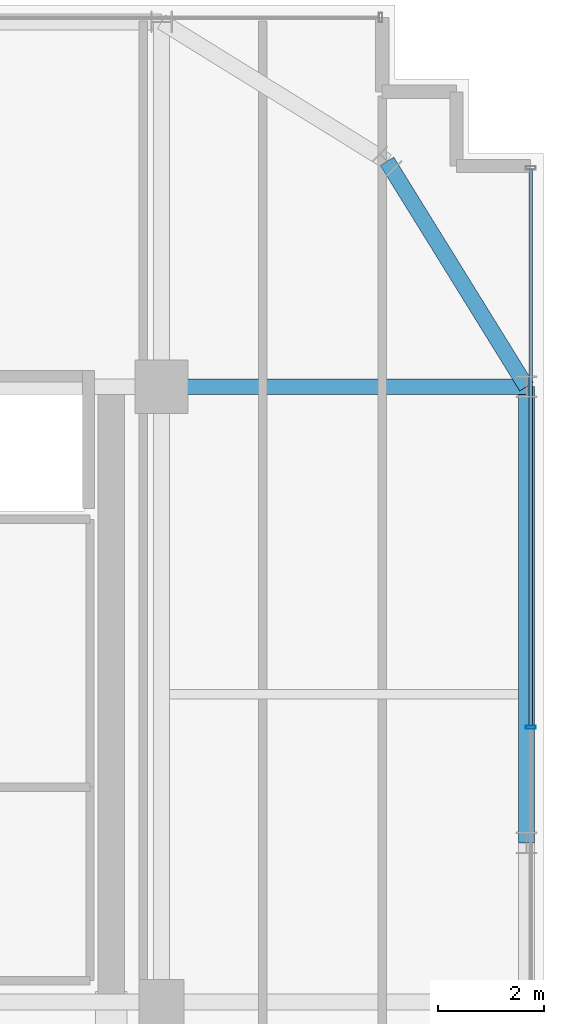
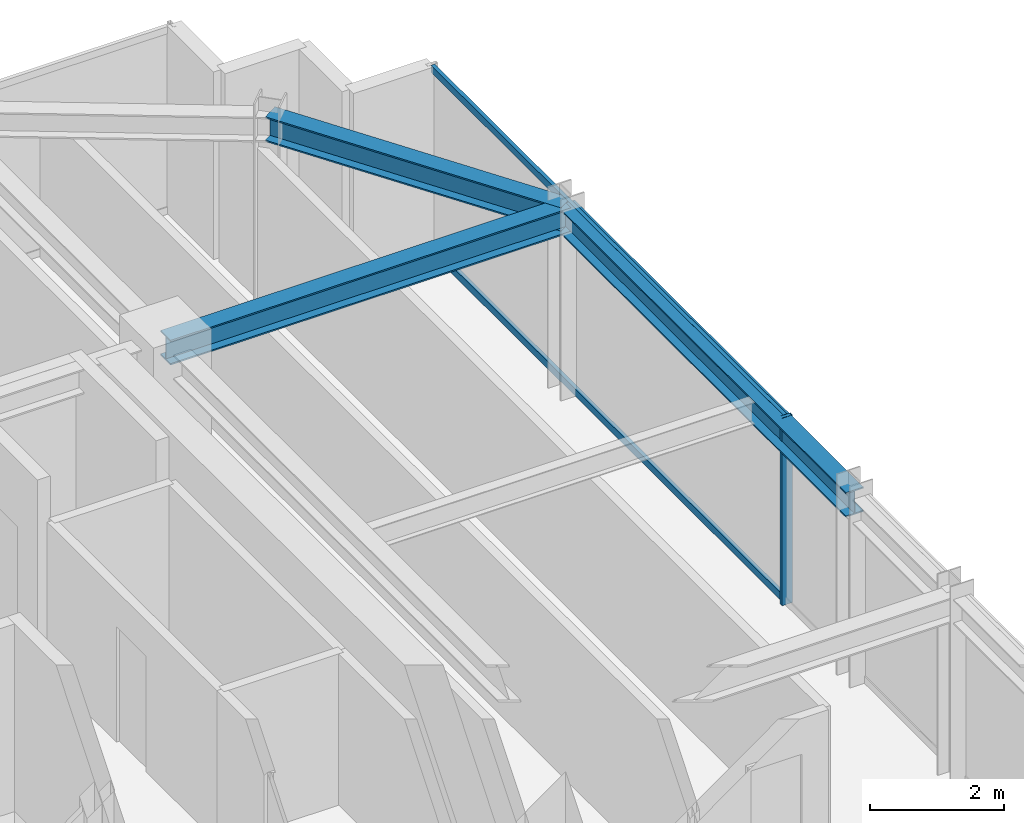
# One storey, part 24 of 35: 3 beams, 3 members, 1 element without a shape of its own.
"""IFC4 building model written with IfcOpenShell, lengths in metres."""

from ifc_helpers import new_model, si_unit, direction, frame, origin, origin_2d, place, context, subcontext, project, spatial, hollow_rectangle, i_section, extrude, source, transform, mapped, material, material_profile, profile_set, type_object, element, aggregate, save


model = new_model("IFC4")

# Units and contexts
model_context = context("Model", 3, precision=1e-05, world=origin(), true_north=direction((0.0, 1.0)))
body_context = subcontext(model_context, "Body", "Model", "MODEL_VIEW")
ifc_project = project(units=[si_unit("LENGTHUNIT", "METRE"), si_unit("AREAUNIT", "SQUARE_METRE"), si_unit("VOLUMEUNIT", "CUBIC_METRE"), si_unit("PLANEANGLEUNIT", "RADIAN"), si_unit("MASSUNIT", "GRAM", prefix="KILO")], contexts=[model_context])

# Site, building, storey
site_placement = place(None, origin())
site = spatial("IfcSite", under=ifc_project, at=site_placement, CompositionType="ELEMENT")
building_placement = place(site_placement, origin())
building = spatial("IfcBuilding", under=site, at=building_placement, Name="Nahalor Promenade Grand Hotel", CompositionType="ELEMENT")
storey_placement = place(building_placement, frame((0.0, 0.0, 245.60009765625)))
storey = spatial("IfcBuildingStorey", under=building, at=storey_placement, Name="L63", CompositionType="ELEMENT", Elevation=245.60009765625)

# Beams
ifc_material_1 = material(Name="Steel S355JR", Category="steel")
ifc_material_profile_1 = material_profile(ifc_material_1, i_section(OverallWidth=0.3, OverallDepth=0.45, WebThickness=0.014, FlangeThickness=0.026, at=origin_2d()), Name="HEB 450")
ifc_profile_set_1 = profile_set([ifc_material_profile_1], Name="Steel S355JR")
beam_type_1 = type_object("IfcBeamType", Name="Beam-Spandrel-HEB450", PredefinedType="SPANDREL", material=ifc_profile_set_1)
shared_shape_1 = source(origin(), body_context, "Body", "SweptSolid", [
    extrude(i_section(OverallWidth=0.3, OverallDepth=0.45, WebThickness=0.014, FlangeThickness=0.026, at=origin_2d()), origin(), (0.0, 0.0, 1.0), 8.60009765625),
])
beam_1_placement = place(storey_placement, frame((23.8798828125, 8.39990234375, 3.184814453125), z_axis=(0.0, 1.0, 0.0), x_axis=(-1.0, 0.0, 0.0)))
element("IfcBeam", 1, at=beam_1_placement, inside=storey, type_object=beam_type_1, Name="BM-L63-SP-E-4", PredefinedType="SPANDREL", context=body_context, shape_type="MappedRepresentation", body=[
    mapped(shared_shape_1, transform((0.0, 0.0, 0.0), scale=1.0)),
])
shared_shape_2 = source(origin(), body_context, "Body", "SweptSolid", [
    extrude(i_section(OverallWidth=0.3, OverallDepth=0.45, WebThickness=0.014, FlangeThickness=0.026, at=origin_2d()), origin(), (0.0, 0.0, 1.0), 4.997802734375),
])
beam_2_placement = place(storey_placement, frame((21.25, 21.25, 3.184814453125), z_axis=(0.526199891161, -0.850360908404, 0.0), x_axis=(0.850360908404, 0.526199891161, 0.0)))
element("IfcBeam", 2, at=beam_2_placement, inside=storey, type_object=beam_type_1, Name="BM-L63-SPC-NE-2", PredefinedType="SPANDREL", context=body_context, shape_type="MappedRepresentation", body=[
    mapped(shared_shape_2, transform((0.0, 0.0, 0.0), scale=1.0)),
])
ifc_material_profile_2 = material_profile(ifc_material_1, i_section(OverallWidth=0.3, OverallDepth=0.45, WebThickness=0.014, FlangeThickness=0.026, at=origin_2d()), Name="HEB 450")
ifc_profile_set_2 = profile_set([ifc_material_profile_2], Name="Steel S355JR")
beam_type_2 = type_object("IfcBeamType", Name="Beam-Girder-HEB450", PredefinedType="BEAM", material=ifc_profile_set_2)
shared_shape_3 = source(origin(), body_context, "Body", "SweptSolid", [
    extrude(i_section(OverallWidth=0.3, OverallDepth=0.45, WebThickness=0.014, FlangeThickness=0.026, at=origin_2d()), origin(), (0.0, 0.0, 1.0), 6.8798828125),
])
beam_3_placement = place(storey_placement, frame((17.0, 17.0, 3.184814453125), z_axis=(1.0, 0.0, 0.0), x_axis=(0.0, 1.0, 0.0)))
element("IfcBeam", 3, at=beam_3_placement, inside=storey, type_object=beam_type_2, Name="BM-L63-GX-3-6", PredefinedType="BEAM", context=body_context, shape_type="MappedRepresentation", body=[
    mapped(shared_shape_3, transform((0.0, 0.0, 0.0), scale=1.0)),
])

# Curtain wall, members
ifc_material_2 = material(Name="Anodised Bronze Aluminium EN AW-6063 T6", Category="aluminium")
curtain_wall_type = type_object("IfcCurtainWallType", Name="CW2 Typical Hotel Flush Bronze Unitised Curtain Wall", PredefinedType="USERDEFINED", material=ifc_material_2)
curtain_wall_placement = place(storey_placement, origin())
curtain_wall = element("IfcCurtainWall", 4, at=curtain_wall_placement, inside=storey, type_object=curtain_wall_type, Name="L63 Curtain Wall CW-L63-E-1", ObjectType="UNITISED_CURTAIN_WALL", PredefinedType="USERDEFINED")
ifc_material_profile_3 = material_profile(ifc_material_2, hollow_rectangle(XDim=0.065, YDim=0.13, WallThickness=0.004, at=origin_2d()), Name="CWT 65x130x4")
ifc_profile_set_3 = profile_set([ifc_material_profile_3], Name="Anodised Bronze Aluminium EN AW-6063 T6")
member_type_1 = type_object("IfcMemberType", Name="CWT2 Typical Bronze Transom 65x130", PredefinedType="USERDEFINED", material=ifc_profile_set_3)
shared_shape_4 = source(origin(), body_context, "Body", "SweptSolid", [
    extrude(hollow_rectangle(XDim=0.065, YDim=0.13, WallThickness=0.004, at=origin_2d()), origin(), (0.0, 0.0, 1.0), 10.482421875),
])
member_1_placement = place(storey_placement, frame((23.9599609375, 10.612548828125, 0.06494140625), z_axis=(0.0, 1.0, 0.0), x_axis=(-1.0, 0.0, 0.0)))
member_1 = element("IfcMember", 5, at=member_1_placement, type_object=member_type_1, Name="CW-L63-E-1 Transom 3-0", ObjectType="TRANSOM", PredefinedType="USERDEFINED", context=body_context, shape_type="MappedRepresentation", body=[
    mapped(shared_shape_4, transform((0.0, 0.0, 0.0), scale=1.0)),
])
member_2_placement = place(storey_placement, frame((23.9599609375, 10.612548828125, 3.344970703125), z_axis=(0.0, 1.0, 0.0), x_axis=(-1.0, 0.0, 0.0)))
member_2 = element("IfcMember", 6, at=member_2_placement, type_object=member_type_1, Name="CW-L63-E-1 Transom 3-1", ObjectType="TRANSOM", PredefinedType="USERDEFINED", context=body_context, shape_type="MappedRepresentation", body=[
    mapped(shared_shape_4, transform((0.0, 0.0, 0.0), scale=1.0)),
])
ifc_material_profile_4 = material_profile(ifc_material_2, hollow_rectangle(XDim=0.065, YDim=0.18, WallThickness=0.004, at=origin_2d()), Name="CWM 65x180x4")
ifc_profile_set_4 = profile_set([ifc_material_profile_4], Name="Anodised Bronze Aluminium EN AW-6063 T6")
member_type_2 = type_object("IfcMemberType", Name="CWM2 Typical Bronze Mullion 65x180", PredefinedType="MULLION", material=ifc_profile_set_4)
shared_shape_5 = source(origin(), body_context, "Body", "SweptSolid", [
    extrude(hollow_rectangle(XDim=0.065, YDim=0.18, WallThickness=0.004, at=origin_2d()), origin(), (0.0, 0.0, 1.0), 3.409912109375),
])
member_3_placement = place(storey_placement, frame((23.9599609375, 10.580078125, 0.0), z_axis=(0.0, 0.0, 1.0), x_axis=(0.0, 1.0, 0.0)))
member_3 = element("IfcMember", 7, at=member_3_placement, type_object=member_type_2, Name="CW-L63-E-1 Mullion 3", PredefinedType="MULLION", context=body_context, shape_type="MappedRepresentation", body=[
    mapped(shared_shape_5, transform((0.0, 0.0, 0.0), scale=1.0)),
])
aggregate(curtain_wall, [member_3, member_1, member_2])

save(model, "model.ifc")
